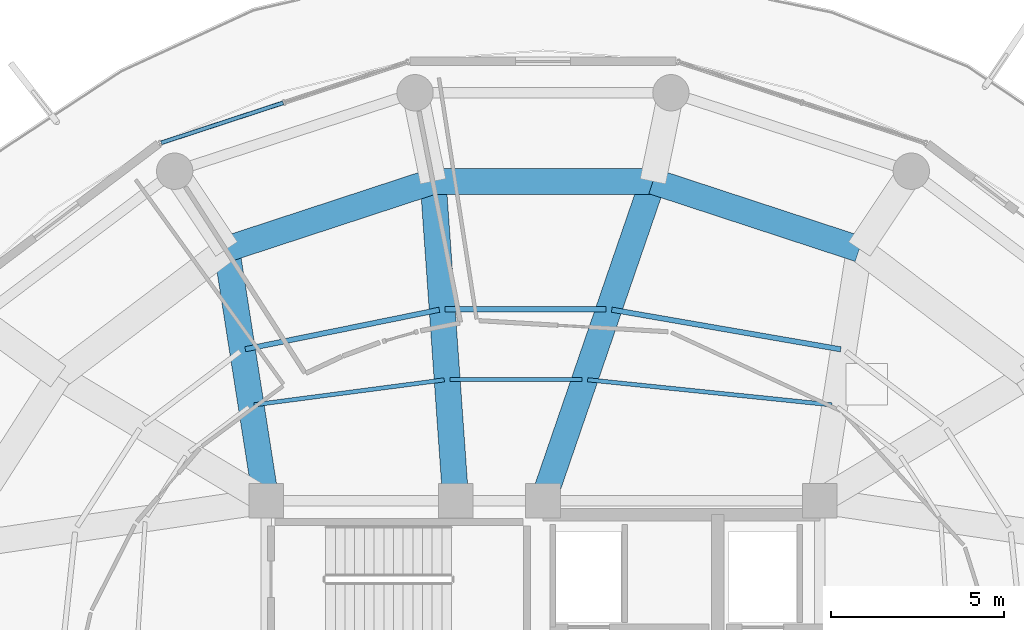
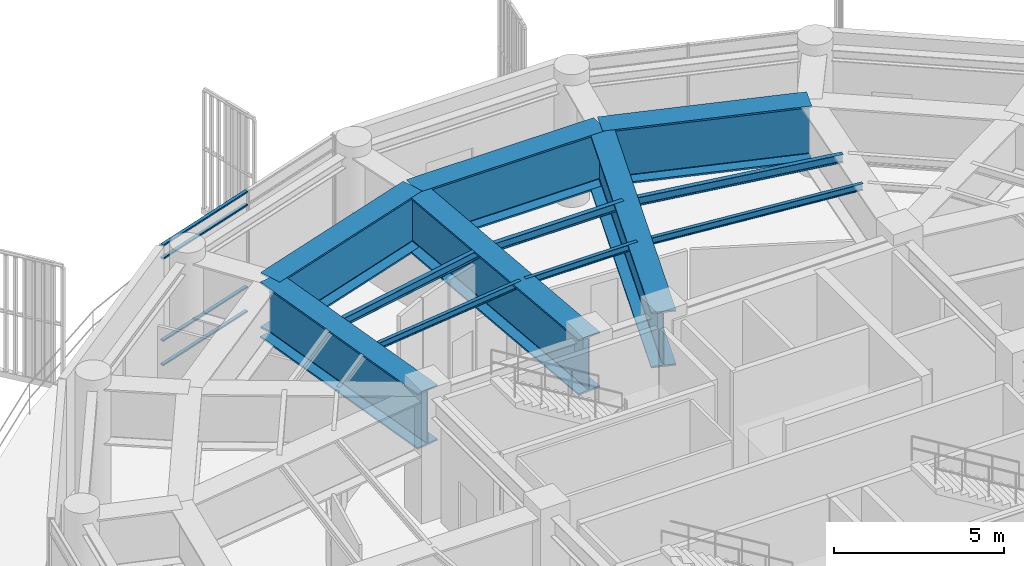
# One storey, part 17 of 29: 12 beams, 4 members, 1 element without a shape of its own.
"""IFC4 building model written with IfcOpenShell, lengths in metres."""

from ifc_helpers import new_model, si_unit, direction, frame, origin, origin_2d, place, context, subcontext, project, spatial, hollow_rectangle, i_section, extrude, material, layer, layer_set, material_profile, profile_set, type_object, element, aggregate, save


model = new_model("IFC4")

# Units and contexts
model_context = context("Model", 3, precision=1e-05, world=origin(), true_north=direction((0.0, 1.0)))
body_context = subcontext(model_context, "Body", "Model", "MODEL_VIEW")
ifc_project = project(units=[si_unit("LENGTHUNIT", "METRE"), si_unit("AREAUNIT", "SQUARE_METRE"), si_unit("VOLUMEUNIT", "CUBIC_METRE"), si_unit("PLANEANGLEUNIT", "RADIAN"), si_unit("MASSUNIT", "GRAM", prefix="KILO")], contexts=[model_context])

# Site, building, storey
site_placement = place(None, origin())
site = spatial("IfcSite", under=ifc_project, at=site_placement, CompositionType="ELEMENT")
building_placement = place(site_placement, origin())
building = spatial("IfcBuilding", under=site, at=building_placement, Name="Kelanora Arch Commons", CompositionType="ELEMENT")
storey_placement = place(building_placement, frame((0.0, 0.0, 238.199951171875)))
storey = spatial("IfcBuildingStorey", under=building, at=storey_placement, Name="L61", CompositionType="ELEMENT", Elevation=238.199951171875)

# Beams
ifc_material_1 = material(Name="Steel S355", Category="steel")
ifc_material_profile_1 = material_profile(ifc_material_1, i_section(OverallWidth=0.14990234375, OverallDepth=0.300048828125, WebThickness=0.007080078125, FlangeThickness=0.0107421875, FilletRadius=0.014892578125, at=origin_2d()), Name="IPE300")
ifc_profile_set_1 = profile_set([ifc_material_profile_1], Name="Steel S355")
beam_type_1 = type_object("IfcBeamType", Name="BM-JST-01", PredefinedType="JOIST", material=ifc_profile_set_1)
beam_1_placement = place(storey_placement, frame((82.60009765625, 69.377685546875, 4.2099609375), z_axis=(-0.985321568263, 0.170708544357, 0.0), x_axis=(-0.170708544357, -0.985321568263, 0.0)))
element("IfcBeam", 1, at=beam_1_placement, inside=storey, type_object=beam_type_1, Name="Secondary Chord Joist BJB-06 L61", PredefinedType="JOIST", context=body_context, shape_type="SweptSolid", body=[
    extrude(i_section(OverallWidth=0.14990234375, OverallDepth=0.300048828125, WebThickness=0.007080078125, FlangeThickness=0.0107421875, FilletRadius=0.014892578125, at=origin_2d()), origin(), (0.0, 0.0, 1.0), 6.710205078125),
])
beam_2_placement = place(storey_placement, frame((75.819580078125, 70.537841796875, 4.2099609375), z_axis=(-1.0, 0.0, 0.0), x_axis=(0.0, -1.0, 0.0)))
element("IfcBeam", 2, at=beam_2_placement, inside=storey, type_object=beam_type_1, Name="Secondary Chord Joist BJB-08 L61", PredefinedType="JOIST", context=body_context, shape_type="SweptSolid", body=[
    extrude(i_section(OverallWidth=0.14990234375, OverallDepth=0.300048828125, WebThickness=0.007080078125, FlangeThickness=0.0107421875, FilletRadius=0.014892578125, at=origin_2d()), origin(), (0.0, 0.0, 1.0), 4.647216796875),
])
beam_3_placement = place(storey_placement, frame((71.004150390625, 70.520751953125, 4.2099609375), z_axis=(-0.979913482255, -0.199423086165, 0.0), x_axis=(0.199423086165, -0.979913482255, 0.0)))
element("IfcBeam", 3, at=beam_3_placement, inside=storey, type_object=beam_type_1, Name="Secondary Chord Joist BJB-10 L61", PredefinedType="JOIST", context=body_context, shape_type="SweptSolid", body=[
    extrude(i_section(OverallWidth=0.14990234375, OverallDepth=0.300048828125, WebThickness=0.007080078125, FlangeThickness=0.0107421875, FilletRadius=0.014892578125, at=origin_2d()), origin(), (0.0, 0.0, 1.0), 5.7197265625),
])
ifc_material_profile_2 = material_profile(ifc_material_1, i_section(OverallWidth=0.1201171875, OverallDepth=0.239990234375, WebThickness=0.006103515625, FlangeThickness=0.009765625, FilletRadius=0.014892578125, at=origin_2d()), Name="IPE240")
ifc_profile_set_2 = profile_set([ifc_material_profile_2], Name="Steel S355")
beam_type_2 = type_object("IfcBeamType", Name="BM-JST-02", PredefinedType="JOIST", material=ifc_profile_set_2)
beam_4_placement = place(storey_placement, frame((82.3486328125, 67.772216796875, 4.239990234375), z_axis=(-0.994746545688, 0.102368500239, 0.0), x_axis=(-0.102368500239, -0.994746545688, 0.0)))
element("IfcBeam", 4, at=beam_4_placement, inside=storey, type_object=beam_type_2, Name="Secondary Chord Joist BJA-06 L61", PredefinedType="JOIST", context=body_context, shape_type="SweptSolid", body=[
    extrude(i_section(OverallWidth=0.1201171875, OverallDepth=0.239990234375, WebThickness=0.006103515625, FlangeThickness=0.009765625, FilletRadius=0.014892578125, at=origin_2d()), origin(), (0.0, 0.0, 1.0), 7.09521484375),
])
beam_5_placement = place(storey_placement, frame((75.12109375, 68.507080078125, 4.239990234375), z_axis=(-1.0, 0.0, 0.0), x_axis=(0.0, -1.0, 0.0)))
element("IfcBeam", 5, at=beam_5_placement, inside=storey, type_object=beam_type_2, Name="Secondary Chord Joist BJA-08 L61", PredefinedType="JOIST", context=body_context, shape_type="SweptSolid", body=[
    extrude(i_section(OverallWidth=0.1201171875, OverallDepth=0.239990234375, WebThickness=0.006103515625, FlangeThickness=0.009765625, FilletRadius=0.014892578125, at=origin_2d()), origin(), (0.0, 0.0, 1.0), 3.8046875),
])
beam_6_placement = place(storey_placement, frame((71.147216796875, 68.49609375, 4.239990234375), z_axis=(-0.991489038745, -0.130190191832, 0.0), x_axis=(0.130190191832, -0.991489038745, 0.0)))
element("IfcBeam", 6, at=beam_6_placement, inside=storey, type_object=beam_type_2, Name="Secondary Chord Joist BJA-10 L61", PredefinedType="JOIST", context=body_context, shape_type="SweptSolid", body=[
    extrude(i_section(OverallWidth=0.1201171875, OverallDepth=0.239990234375, WebThickness=0.006103515625, FlangeThickness=0.009765625, FilletRadius=0.014892578125, at=origin_2d()), origin(), (0.0, 0.0, 1.0), 5.543212890625),
])
ifc_material_profile_3 = material_profile(ifc_material_1, i_section(OverallWidth=0.75, OverallDepth=2.0, WebThickness=0.034912109375, FlangeThickness=0.06005859375, FilletRadius=0.028076171875, at=origin_2d()), Name="PG2000x750")
ifc_profile_set_3 = profile_set([ifc_material_profile_3], Name="Steel S355")
beam_type_3 = type_object("IfcBeamType", Name="BM-XFER-SET", PredefinedType="USERDEFINED", material=ifc_profile_set_3)
beam_7_placement = place(storey_placement, frame((74.0, 65.0, 3.360107421875), z_axis=(0.325233562807, 0.945633718532, 0.0), x_axis=(-0.945633718532, 0.325233562807, 0.0)))
element("IfcBeam", 7, at=beam_7_placement, inside=storey, type_object=beam_type_3, Name="Setback Radial Transfer Girder BRI-08 L61", ObjectType="TRANSFER_GIRDER", PredefinedType="USERDEFINED", context=body_context, shape_type="SweptSolid", body=[
    extrude(i_section(OverallWidth=0.75, OverallDepth=2.0, WebThickness=0.034912109375, FlangeThickness=0.06005859375, FilletRadius=0.028076171875, at=origin_2d()), origin(), (0.0, 0.0, 1.0), 9.760009765625),
])
beam_8_placement = place(storey_placement, frame((71.47998046875, 65.0, 3.360107421875), z_axis=(-0.070714497892, 0.997496596379, 0.0), x_axis=(-0.997496596379, -0.070714497892, 0.0)))
element("IfcBeam", 8, at=beam_8_placement, inside=storey, type_object=beam_type_3, Name="Setback Radial Transfer Girder BRI-10 L61", ObjectType="TRANSFER_GIRDER", PredefinedType="USERDEFINED", context=body_context, shape_type="SweptSolid", body=[
    extrude(i_section(OverallWidth=0.75, OverallDepth=2.0, WebThickness=0.034912109375, FlangeThickness=0.06005859375, FilletRadius=0.028076171875, at=origin_2d()), origin(), (0.0, 0.0, 1.0), 9.252685546875),
])
beam_9_placement = place(storey_placement, frame((66.0, 65.0, 3.360107421875), z_axis=(-0.154855424129, 0.987937142544, 0.0), x_axis=(-0.987937142544, -0.154855424129, 0.0)))
element("IfcBeam", 9, at=beam_9_placement, inside=storey, type_object=beam_type_3, Name="Setback Radial Transfer Girder BRI-12 L61", ObjectType="TRANSFER_GIRDER", PredefinedType="USERDEFINED", context=body_context, shape_type="SweptSolid", body=[
    extrude(i_section(OverallWidth=0.75, OverallDepth=2.0, WebThickness=0.034912109375, FlangeThickness=0.06005859375, FilletRadius=0.028076171875, at=origin_2d()), origin(), (0.0, 0.0, 1.0), 7.361083984375),
])
beam_10_placement = place(storey_placement, frame((83.139892578125, 72.272216796875, 3.360107421875), z_axis=(-0.950165923039, 0.311744636996, 0.0), x_axis=(-0.311744636996, -0.950165923039, 0.0)))
element("IfcBeam", 10, at=beam_10_placement, inside=storey, type_object=beam_type_3, Name="Setback Inner Transfer Ring BSI-06 L61", ObjectType="TRANSFER_GIRDER", PredefinedType="USERDEFINED", context=body_context, shape_type="SweptSolid", body=[
    extrude(i_section(OverallWidth=0.75, OverallDepth=2.0, WebThickness=0.034912109375, FlangeThickness=0.06005859375, FilletRadius=0.028076171875, at=origin_2d()), origin(), (0.0, 0.0, 1.0), 6.278564453125),
])
beam_11_placement = place(storey_placement, frame((77.17431640625, 74.2294921875, 3.360107421875), z_axis=(-1.0, 0.0, 0.0), x_axis=(0.0, -1.0, 0.0)))
element("IfcBeam", 11, at=beam_11_placement, inside=storey, type_object=beam_type_3, Name="Setback Inner Transfer Ring BSI-08 L61", ObjectType="TRANSFER_GIRDER", PredefinedType="USERDEFINED", context=body_context, shape_type="SweptSolid", body=[
    extrude(i_section(OverallWidth=0.75, OverallDepth=2.0, WebThickness=0.034912109375, FlangeThickness=0.06005859375, FilletRadius=0.028076171875, at=origin_2d()), origin(), (0.0, 0.0, 1.0), 6.3486328125),
])
beam_12_placement = place(storey_placement, frame((70.82568359375, 74.2294921875, 3.360107421875), z_axis=(-0.950165923039, -0.311744636996, 0.0), x_axis=(0.311744636996, -0.950165923039, 0.0)))
element("IfcBeam", 12, at=beam_12_placement, inside=storey, type_object=beam_type_3, Name="Setback Inner Transfer Ring BSI-10 L61", ObjectType="TRANSFER_GIRDER", PredefinedType="USERDEFINED", context=body_context, shape_type="SweptSolid", body=[
    extrude(i_section(OverallWidth=0.75, OverallDepth=2.0, WebThickness=0.034912109375, FlangeThickness=0.06005859375, FilletRadius=0.028076171875, at=origin_2d()), origin(), (0.0, 0.0, 1.0), 6.278564453125),
])

# Curtain wall, members
ifc_material_2 = material(Name="Terracotta ceramic-fritted low-E glass and aluminium", Category="masonry")
ifc_layer = layer(ifc_material_2, 0.175048828125)
ifc_layer_set = layer_set([ifc_layer], Name="Terracotta ceramic-fritted low-E glass and aluminium")
curtain_wall_type = type_object("IfcCurtainWallType", Name="CW-SYS-02", PredefinedType="NOTDEFINED", material=ifc_layer_set)
curtain_wall_placement = place(storey_placement, origin())
curtain_wall = element("IfcCurtainWall", 13, at=curtain_wall_placement, inside=storey, type_object=curtain_wall_type, Name="Unitised Curtain Wall L61-B05", PredefinedType="NOTDEFINED")
ifc_material_3 = material(Name="Powder-coated aluminium terracotta", Category="masonry")
ifc_material_profile_4 = material_profile(ifc_material_3, hollow_rectangle(XDim=0.1201171875, YDim=0.06005859375, WallThickness=0.0048828125, InnerFilletRadius=0.0048828125, OuterFilletRadius=0.010009765625, at=origin_2d()), Name="CWT120x60")
ifc_profile_set_4 = profile_set([ifc_material_profile_4], Name="Powder-coated aluminium terracotta")
member_type = type_object("IfcMemberType", Name="CWT-STD", PredefinedType="USERDEFINED", material=ifc_profile_set_4)
member_1_placement = place(storey_placement, frame((66.493896484375, 76.4990234375, 0.030029296875), z_axis=(-0.950226025222, -0.311561392011, 0.0), x_axis=(0.311561392011, -0.950226025222, 0.0)))
member_1 = element("IfcMember", 14, at=member_1_placement, type_object=member_type, Name="CW-02 transom 2.1", ObjectType="TRANSOM", PredefinedType="USERDEFINED", context=body_context, shape_type="SweptSolid", body=[
    extrude(hollow_rectangle(XDim=0.1201171875, YDim=0.06005859375, WallThickness=0.0048828125, InnerFilletRadius=0.0048828125, OuterFilletRadius=0.010009765625, at=origin_2d()), origin(), (0.0, 0.0, 1.0), 3.707275390625),
])
member_2_placement = place(storey_placement, frame((66.493896484375, 76.4990234375, 0.900146484375), z_axis=(-0.950226025222, -0.311561392011, 0.0), x_axis=(0.311561392011, -0.950226025222, 0.0)))
member_2 = element("IfcMember", 15, at=member_2_placement, type_object=member_type, Name="CW-02 transom 2.2", ObjectType="TRANSOM", PredefinedType="USERDEFINED", context=body_context, shape_type="SweptSolid", body=[
    extrude(hollow_rectangle(XDim=0.1201171875, YDim=0.06005859375, WallThickness=0.0048828125, InnerFilletRadius=0.0048828125, OuterFilletRadius=0.010009765625, at=origin_2d()), origin(), (0.0, 0.0, 1.0), 3.707275390625),
])
member_3_placement = place(storey_placement, frame((66.493896484375, 76.4990234375, 3.844970703125), z_axis=(-0.950226025222, -0.311561392011, 0.0), x_axis=(0.311561392011, -0.950226025222, 0.0)))
member_3 = element("IfcMember", 16, at=member_3_placement, type_object=member_type, Name="CW-02 transom 2.3", ObjectType="TRANSOM", PredefinedType="USERDEFINED", context=body_context, shape_type="SweptSolid", body=[
    extrude(hollow_rectangle(XDim=0.1201171875, YDim=0.06005859375, WallThickness=0.0048828125, InnerFilletRadius=0.0048828125, OuterFilletRadius=0.010009765625, at=origin_2d()), origin(), (0.0, 0.0, 1.0), 3.707275390625),
])
member_4_placement = place(storey_placement, frame((66.493896484375, 76.4990234375, 4.31494140625), z_axis=(-0.950226025222, -0.311561392011, 0.0), x_axis=(0.311561392011, -0.950226025222, 0.0)))
member_4 = element("IfcMember", 17, at=member_4_placement, type_object=member_type, Name="CW-02 transom 2.4", ObjectType="TRANSOM", PredefinedType="USERDEFINED", context=body_context, shape_type="SweptSolid", body=[
    extrude(hollow_rectangle(XDim=0.1201171875, YDim=0.06005859375, WallThickness=0.0048828125, InnerFilletRadius=0.0048828125, OuterFilletRadius=0.010009765625, at=origin_2d()), origin(), (0.0, 0.0, 1.0), 3.707275390625),
])
aggregate(curtain_wall, [member_1, member_2, member_3, member_4])

save(model, "model.ifc")
